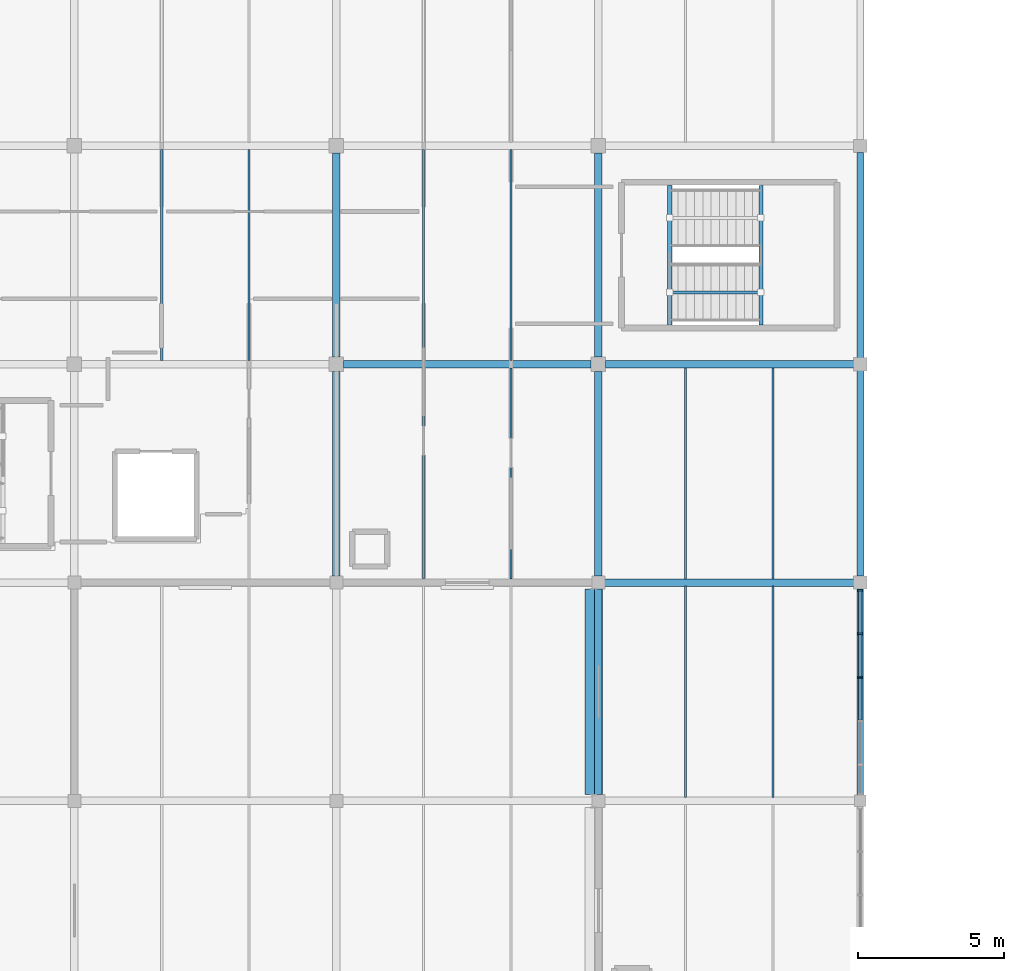
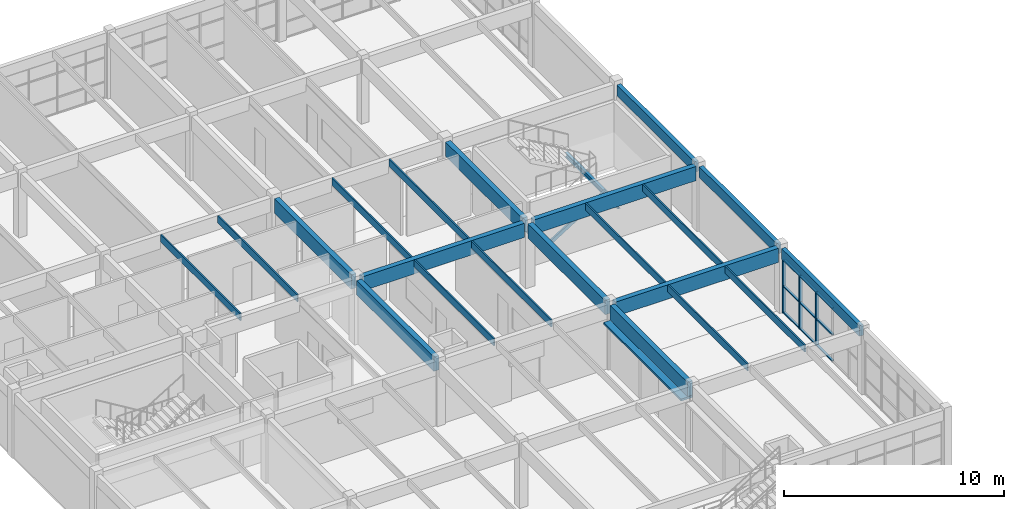
# One storey, part 23 of 81: 23 beams, 14 members, 1 element without a shape of its own.
"""IFC4 building model written with IfcOpenShell, lengths in metres."""

from ifc_helpers import new_model, si_unit, direction, frame, origin, origin_2d, place, context, subcontext, project, spatial, rectangle, hollow_rectangle, i_section, extrude, material, layer, layer_set, material_profile, profile_set, type_object, element, aggregate, save


model = new_model("IFC4")

# Units and contexts
model_context = context("Model", 3, precision=1e-05, world=origin(), true_north=direction((0.0, 1.0)))
body_context = subcontext(model_context, "Body", "Model", "MODEL_VIEW")
ifc_project = project(units=[si_unit("LENGTHUNIT", "METRE"), si_unit("AREAUNIT", "SQUARE_METRE"), si_unit("VOLUMEUNIT", "CUBIC_METRE"), si_unit("PLANEANGLEUNIT", "RADIAN"), si_unit("MASSUNIT", "GRAM", prefix="KILO")], contexts=[model_context])

# Site, building, storey
site_placement = place(None, origin())
site = spatial("IfcSite", under=ifc_project, at=site_placement, CompositionType="ELEMENT")
building_placement = place(site_placement, origin())
building = spatial("IfcBuilding", under=site, at=building_placement, Name="Marnridge Secondary College", CompositionType="ELEMENT")
storey_placement = place(building_placement, frame((0.0, 0.0, 8.5)))
storey = spatial("IfcBuildingStorey", under=building, at=storey_placement, Name="L02", CompositionType="ELEMENT", Elevation=8.5)

# Beams
ifc_material_1 = material(Name="Glulam timber GL18", Category="wood")
ifc_material_profile_1 = material_profile(ifc_material_1, rectangle(XDim=0.215087890625, YDim=0.5849609375, at=origin_2d()), Name="GL18 215x585")
ifc_profile_set_1 = profile_set([ifc_material_profile_1], Name="Glulam timber GL18")
beam_type_1 = type_object("IfcBeamType", Name="BM-GL585-EXT", PredefinedType="SPANDREL", material=ifc_profile_set_1)
beam_1_placement = place(storey_placement, frame((90.0, 45.194091796875, 3.277587890625), z_axis=(0.0, 1.0, 0.0), x_axis=(-1.0, 0.0, 0.0)))
element("IfcBeam", 1, at=beam_1_placement, inside=storey, type_object=beam_type_1, Name="Beam BS-L02-0789", PredefinedType="SPANDREL", context=body_context, shape_type="SweptSolid", body=[
    extrude(rectangle(XDim=0.215087890625, YDim=0.5849609375, at=origin_2d()), origin(), (0.0, 0.0, 1.0), 7.0869140625),
])
for number, where, z_axis, x_axis, name in (
    (2, (90.0, 52.718994140625, 3.277587890625), (0.0, 1.0, 0.0), (-1.0, 0.0, 0.0), "Beam BS-L02-0791"),
    (3, (90.0, 60.218994140625, 3.277587890625), (0.0, 1.0, 0.0), (-1.0, 0.0, 0.0), "Beam BS-L02-0793"),
):
    element("IfcBeam", number, at=place(storey_placement, frame(where, z_axis=z_axis, x_axis=x_axis)), inside=storey, type_object=beam_type_1, Name=name, PredefinedType="SPANDREL", context=body_context, shape_type="SweptSolid", body=[
        extrude(rectangle(XDim=0.215087890625, YDim=0.5849609375, at=origin_2d()), origin(), (0.0, 0.0, 1.0), 7.06201171875),
    ])
ifc_material_2 = material(Name="Glulam timber GL18", Category="wood")
ifc_material_profile_2 = material_profile(ifc_material_2, rectangle(XDim=0.260009765625, YDim=0.7900390625, at=origin_2d()), Name="GL18 260x790")
ifc_profile_set_2 = profile_set([ifc_material_profile_2], Name="Glulam timber GL18")
beam_type_2 = type_object("IfcBeamType", Name="BM-GL790-INT", PredefinedType="BEAM", material=ifc_profile_set_2)
beam_2_placement = place(storey_placement, frame((72.0, 52.718994140625, 3.175048828125), z_axis=(0.0, 1.0, 0.0), x_axis=(-1.0, 0.0, 0.0)))
element("IfcBeam", 4, at=beam_2_placement, inside=storey, type_object=beam_type_2, Name="Beam B-L02-0773", PredefinedType="BEAM", context=body_context, shape_type="SweptSolid", body=[
    extrude(rectangle(XDim=0.260009765625, YDim=0.7900390625, at=origin_2d()), origin(), (0.0, 0.0, 1.0), 7.037109375),
])
beam_3_placement = place(storey_placement, frame((72.0, 60.243896484375, 3.175048828125), z_axis=(0.0, 1.0, 0.0), x_axis=(-1.0, 0.0, 0.0)))
element("IfcBeam", 5, at=beam_3_placement, inside=storey, type_object=beam_type_2, Name="Beam B-L02-0775", PredefinedType="BEAM", context=body_context, shape_type="SweptSolid", body=[
    extrude(rectangle(XDim=0.260009765625, YDim=0.7900390625, at=origin_2d()), origin(), (0.0, 0.0, 1.0), 7.01220703125),
])
beam_4_placement = place(storey_placement, frame((81.0, 45.218994140625, 3.175048828125), z_axis=(0.0, 1.0, 0.0), x_axis=(-1.0, 0.0, 0.0)))
element("IfcBeam", 6, at=beam_4_placement, inside=storey, type_object=beam_type_2, Name="Beam B-L02-0780", PredefinedType="BEAM", context=body_context, shape_type="SweptSolid", body=[
    extrude(rectangle(XDim=0.260009765625, YDim=0.7900390625, at=origin_2d()), origin(), (0.0, 0.0, 1.0), 7.06201171875),
])
beam_5_placement = place(storey_placement, frame((72.243896484375, 60.0, 3.175048828125), z_axis=(1.0, 0.0, 0.0), x_axis=(0.0, 1.0, 0.0)))
element("IfcBeam", 7, at=beam_5_placement, inside=storey, type_object=beam_type_2, Name="Beam B-L02-0781", PredefinedType="BEAM", context=body_context, shape_type="SweptSolid", body=[
    extrude(rectangle(XDim=0.260009765625, YDim=0.7900390625, at=origin_2d()), origin(), (0.0, 0.0, 1.0), 8.51220703125),
])
beam_6_placement = place(storey_placement, frame((81.0, 52.718994140625, 3.175048828125), z_axis=(0.0, 1.0, 0.0), x_axis=(-1.0, 0.0, 0.0)))
element("IfcBeam", 8, at=beam_6_placement, inside=storey, type_object=beam_type_2, Name="Beam B-L02-0782", PredefinedType="BEAM", context=body_context, shape_type="SweptSolid", body=[
    extrude(rectangle(XDim=0.260009765625, YDim=0.7900390625, at=origin_2d()), origin(), (0.0, 0.0, 1.0), 7.037109375),
])
beam_7_placement = place(storey_placement, frame((81.0, 60.243896484375, 3.175048828125), z_axis=(0.0, 1.0, 0.0), x_axis=(-1.0, 0.0, 0.0)))
element("IfcBeam", 9, at=beam_7_placement, inside=storey, type_object=beam_type_2, Name="Beam B-L02-0784", PredefinedType="BEAM", context=body_context, shape_type="SweptSolid", body=[
    extrude(rectangle(XDim=0.260009765625, YDim=0.7900390625, at=origin_2d()), origin(), (0.0, 0.0, 1.0), 7.01220703125),
])
beam_8_placement = place(storey_placement, frame((81.218994140625, 52.5, 3.175048828125), z_axis=(1.0, 0.0, 0.0), x_axis=(0.0, 1.0, 0.0)))
element("IfcBeam", 10, at=beam_8_placement, inside=storey, type_object=beam_type_2, Name="Beam B-L02-0788", PredefinedType="BEAM", context=body_context, shape_type="SweptSolid", body=[
    extrude(rectangle(XDim=0.260009765625, YDim=0.7900390625, at=origin_2d()), origin(), (0.0, 0.0, 1.0), 8.56201171875),
])
beam_9_placement = place(storey_placement, frame((81.243896484375, 60.0, 3.175048828125), z_axis=(1.0, 0.0, 0.0), x_axis=(0.0, 1.0, 0.0)))
element("IfcBeam", 11, at=beam_9_placement, inside=storey, type_object=beam_type_2, Name="Beam B-L02-0790", PredefinedType="BEAM", context=body_context, shape_type="SweptSolid", body=[
    extrude(rectangle(XDim=0.260009765625, YDim=0.7900390625, at=origin_2d()), origin(), (0.0, 0.0, 1.0), 8.537109375),
])
ifc_material_3 = material(Name="Engineered timber LVL E13.2", Category="wood")
ifc_material_profile_3 = material_profile(ifc_material_3, rectangle(XDim=0.074951171875, YDim=0.39990234375, at=origin_2d()), Name="LVL 75x400")
ifc_profile_set_3 = profile_set([ifc_material_profile_3], Name="Engineered timber LVL E13.2")
beam_type_3 = type_object("IfcBeamType", Name="BM-LVL400-INT", PredefinedType="JOIST", material=ifc_profile_set_3)
for number, where, z_axis, x_axis, name in (
    (12, (66.0, 60.1240234375, 3.3701171875), (0.0, 1.0, 0.0), (-1.0, 0.0, 0.0), "Beam BJ-L02-0823"),
    (13, (69.0, 60.1240234375, 3.3701171875), (0.0, 1.0, 0.0), (-1.0, 0.0, 0.0), "Beam BJ-L02-0824"),
    (14, (75.0, 52.6240234375, 3.3701171875), (0.0, 1.0, 0.0), (-1.0, 0.0, 0.0), "Beam BJ-L02-0829"),
    (15, (78.0, 52.6240234375, 3.3701171875), (0.0, 1.0, 0.0), (-1.0, 0.0, 0.0), "Beam BJ-L02-0830"),
    (16, (75.0, 60.1240234375, 3.3701171875), (0.0, 1.0, 0.0), (-1.0, 0.0, 0.0), "Beam BJ-L02-0831"),
    (17, (78.0, 60.1240234375, 3.3701171875), (0.0, 1.0, 0.0), (-1.0, 0.0, 0.0), "Beam BJ-L02-0832"),
    (18, (84.0, 45.1240234375, 3.3701171875), (0.0, 1.0, 0.0), (-1.0, 0.0, 0.0), "Beam BJ-L02-0835"),
    (19, (87.0, 45.1240234375, 3.3701171875), (0.0, 1.0, 0.0), (-1.0, 0.0, 0.0), "Beam BJ-L02-0836"),
    (20, (84.0, 52.6240234375, 3.3701171875), (0.0, 1.0, 0.0), (-1.0, 0.0, 0.0), "Beam BJ-L02-0837"),
    (21, (87.0, 52.6240234375, 3.3701171875), (0.0, 1.0, 0.0), (-1.0, 0.0, 0.0), "Beam BJ-L02-0838"),
):
    element("IfcBeam", number, at=place(storey_placement, frame(where, z_axis=z_axis, x_axis=x_axis)), inside=storey, type_object=beam_type_3, Name=name, PredefinedType="JOIST", context=body_context, shape_type="SweptSolid", body=[
        extrude(rectangle(XDim=0.074951171875, YDim=0.39990234375, at=origin_2d()), origin(), (0.0, 0.0, 1.0), 7.251953125),
    ])
ifc_material_4 = material(Name="Structural steel Grade 350 (AS/NZS 3679.1/.2, fy = 340-360 MPa)", Category="steel")
ifc_material_profile_4 = material_profile(ifc_material_4, i_section(OverallWidth=0.146240234375, OverallDepth=0.256103515625, WebThickness=0.00634765625, FlangeThickness=0.010986328125, FilletRadius=0.0087890625, at=origin_2d()), Name="250UB37.3")
ifc_profile_set_4 = profile_set([ifc_material_profile_4], Name="Structural steel Grade 350 (AS/NZS 3679.1/.2, fy = 340-360 MPa)")
beam_type_4 = type_object("IfcBeamType", Name="BM-UB250-EXT", PredefinedType="LINTEL", material=ifc_profile_set_4)
for number, where, z_axis, x_axis, name in (
    (22, (83.449951171875, 61.342041015625, -0.38818359375), (0.0, 1.0, 0.0), (-1.0, 0.0, 0.0), "Stair landing trimmer beam BT-L02-014"),
    (23, (86.5849609375, 61.342041015625, 1.572021484375), (0.0, 1.0, 0.0), (-1.0, 0.0, 0.0), "Stair landing trimmer beam BT-L02-015"),
):
    element("IfcBeam", number, at=place(storey_placement, frame(where, z_axis=z_axis, x_axis=x_axis)), inside=storey, type_object=beam_type_4, Name=name, PredefinedType="LINTEL", context=body_context, shape_type="SweptSolid", body=[
        extrude(i_section(OverallWidth=0.146240234375, OverallDepth=0.256103515625, WebThickness=0.00634765625, FlangeThickness=0.010986328125, FilletRadius=0.0087890625, at=origin_2d()), origin(), (0.0, 0.0, 1.0), 4.802978515625),
    ])

# Curtain wall, members
ifc_material_5 = material(Name="Thermally broken aluminium and low-E glazing", Category="aluminium")
ifc_layer = layer(ifc_material_5, 0.159912109375)
ifc_layer_set = layer_set([ifc_layer], Name="CW-MOD-1500")
curtain_wall_type = type_object("IfcCurtainWallType", Name="CW-MOD-1500", PredefinedType="NOTDEFINED", material=ifc_layer_set)
curtain_wall_placement = place(storey_placement, origin())
curtain_wall = element("IfcCurtainWall", 24, at=curtain_wall_placement, inside=storey, type_object=curtain_wall_type, Name="Unitised curtain wall CW-L02-078", PredefinedType="NOTDEFINED")
ifc_material_6 = material(Name="Anodised aluminium 6063-T6", Category="aluminium")
ifc_material_profile_5 = material_profile(ifc_material_6, rectangle(XDim=0.06005859375, YDim=0.159912109375, at=origin_2d()), Name="ALU 60x160")
ifc_profile_set_5 = profile_set([ifc_material_profile_5], Name="Anodised aluminium 6063-T6")
member_type_1 = type_object("IfcMemberType", Name="CWM-ALU160", PredefinedType="MULLION", material=ifc_profile_set_5)
member_1_placement = place(storey_placement, frame((90.0, 52.240966796875, 0.0), z_axis=(0.0, 0.0, 1.0), x_axis=(0.0, -1.0, 0.0)))
member_1 = element("IfcMember", 25, at=member_1_placement, type_object=member_type_1, Name="CW-L02-078 mullion 1", PredefinedType="MULLION", context=body_context, shape_type="SweptSolid", body=[
    extrude(rectangle(XDim=0.06005859375, YDim=0.159912109375, at=origin_2d()), origin(), (0.0, 0.0, 1.0), 2.97705078125),
])
member_2_placement = place(storey_placement, frame((90.0, 50.740966796875, 0.0), z_axis=(0.0, 0.0, 1.0), x_axis=(0.0, -1.0, 0.0)))
member_2 = element("IfcMember", 26, at=member_2_placement, type_object=member_type_1, Name="CW-L02-078 mullion 2", PredefinedType="MULLION", context=body_context, shape_type="SweptSolid", body=[
    extrude(rectangle(XDim=0.06005859375, YDim=0.159912109375, at=origin_2d()), origin(), (0.0, 0.0, 1.0), 2.97705078125),
])
member_3_placement = place(storey_placement, frame((90.0, 49.240966796875, 0.0), z_axis=(0.0, 0.0, 1.0), x_axis=(0.0, -1.0, 0.0)))
member_3 = element("IfcMember", 27, at=member_3_placement, type_object=member_type_1, Name="CW-L02-078 mullion 3", PredefinedType="MULLION", context=body_context, shape_type="SweptSolid", body=[
    extrude(rectangle(XDim=0.06005859375, YDim=0.159912109375, at=origin_2d()), origin(), (0.0, 0.0, 1.0), 2.97705078125),
])
ifc_material_7 = material(Name="Anodised aluminium 6063-T6", Category="aluminium")
ifc_material_profile_6 = material_profile(ifc_material_7, rectangle(XDim=0.06005859375, YDim=0.1201171875, at=origin_2d()), Name="ALU 60x120")
ifc_profile_set_6 = profile_set([ifc_material_profile_6], Name="Anodised aluminium 6063-T6")
member_type_2 = type_object("IfcMemberType", Name="CWT-ALU120", PredefinedType="USERDEFINED", material=ifc_profile_set_6)
member_4_placement = place(storey_placement, frame((90.0, 52.2109375, 0.030029296875), z_axis=(0.0, -1.0, 0.0), x_axis=(0.0, 0.0, 1.0)))
member_4 = element("IfcMember", 28, at=member_4_placement, type_object=member_type_2, Name="CW-L02-078 transom 1.1", ObjectType="TRANSOM", PredefinedType="USERDEFINED", context=body_context, shape_type="SweptSolid", body=[
    extrude(rectangle(XDim=0.06005859375, YDim=0.1201171875, at=origin_2d()), origin(), (0.0, 0.0, 1.0), 1.43994140625),
])
member_5_placement = place(storey_placement, frame((90.0, 52.2109375, 1.489013671875), z_axis=(0.0, -1.0, 0.0), x_axis=(0.0, 0.0, 1.0)))
member_5 = element("IfcMember", 29, at=member_5_placement, type_object=member_type_2, Name="CW-L02-078 transom 1.2", ObjectType="TRANSOM", PredefinedType="USERDEFINED", context=body_context, shape_type="SweptSolid", body=[
    extrude(rectangle(XDim=0.06005859375, YDim=0.1201171875, at=origin_2d()), origin(), (0.0, 0.0, 1.0), 1.43994140625),
])
member_6_placement = place(storey_placement, frame((90.0, 52.2109375, 2.947021484375), z_axis=(0.0, -1.0, 0.0), x_axis=(0.0, 0.0, 1.0)))
member_6 = element("IfcMember", 30, at=member_6_placement, type_object=member_type_2, Name="CW-L02-078 transom 1.3", ObjectType="TRANSOM", PredefinedType="USERDEFINED", context=body_context, shape_type="SweptSolid", body=[
    extrude(rectangle(XDim=0.06005859375, YDim=0.1201171875, at=origin_2d()), origin(), (0.0, 0.0, 1.0), 1.43994140625),
])
member_7_placement = place(storey_placement, frame((90.0, 50.7109375, 0.030029296875), z_axis=(0.0, -1.0, 0.0), x_axis=(0.0, 0.0, 1.0)))
member_7 = element("IfcMember", 31, at=member_7_placement, type_object=member_type_2, Name="CW-L02-078 transom 2.1", ObjectType="TRANSOM", PredefinedType="USERDEFINED", context=body_context, shape_type="SweptSolid", body=[
    extrude(rectangle(XDim=0.06005859375, YDim=0.1201171875, at=origin_2d()), origin(), (0.0, 0.0, 1.0), 1.43994140625),
])
member_8_placement = place(storey_placement, frame((90.0, 50.7109375, 1.489013671875), z_axis=(0.0, -1.0, 0.0), x_axis=(0.0, 0.0, 1.0)))
member_8 = element("IfcMember", 32, at=member_8_placement, type_object=member_type_2, Name="CW-L02-078 transom 2.2", ObjectType="TRANSOM", PredefinedType="USERDEFINED", context=body_context, shape_type="SweptSolid", body=[
    extrude(rectangle(XDim=0.06005859375, YDim=0.1201171875, at=origin_2d()), origin(), (0.0, 0.0, 1.0), 1.43994140625),
])
member_9_placement = place(storey_placement, frame((90.0, 50.7109375, 2.947021484375), z_axis=(0.0, -1.0, 0.0), x_axis=(0.0, 0.0, 1.0)))
member_9 = element("IfcMember", 33, at=member_9_placement, type_object=member_type_2, Name="CW-L02-078 transom 2.3", ObjectType="TRANSOM", PredefinedType="USERDEFINED", context=body_context, shape_type="SweptSolid", body=[
    extrude(rectangle(XDim=0.06005859375, YDim=0.1201171875, at=origin_2d()), origin(), (0.0, 0.0, 1.0), 1.43994140625),
])
member_10_placement = place(storey_placement, frame((90.0, 49.2109375, 0.030029296875), z_axis=(0.0, -1.0, 0.0), x_axis=(0.0, 0.0, 1.0)))
member_10 = element("IfcMember", 34, at=member_10_placement, type_object=member_type_2, Name="CW-L02-078 transom 3.1", ObjectType="TRANSOM", PredefinedType="USERDEFINED", context=body_context, shape_type="SweptSolid", body=[
    extrude(rectangle(XDim=0.06005859375, YDim=0.1201171875, at=origin_2d()), origin(), (0.0, 0.0, 1.0), 1.43994140625),
])
member_11_placement = place(storey_placement, frame((90.0, 49.2109375, 1.489013671875), z_axis=(0.0, -1.0, 0.0), x_axis=(0.0, 0.0, 1.0)))
member_11 = element("IfcMember", 35, at=member_11_placement, type_object=member_type_2, Name="CW-L02-078 transom 3.2", ObjectType="TRANSOM", PredefinedType="USERDEFINED", context=body_context, shape_type="SweptSolid", body=[
    extrude(rectangle(XDim=0.06005859375, YDim=0.1201171875, at=origin_2d()), origin(), (0.0, 0.0, 1.0), 1.43994140625),
])
member_12_placement = place(storey_placement, frame((90.0, 49.2109375, 2.947021484375), z_axis=(0.0, -1.0, 0.0), x_axis=(0.0, 0.0, 1.0)))
member_12 = element("IfcMember", 36, at=member_12_placement, type_object=member_type_2, Name="CW-L02-078 transom 3.3", ObjectType="TRANSOM", PredefinedType="USERDEFINED", context=body_context, shape_type="SweptSolid", body=[
    extrude(rectangle(XDim=0.06005859375, YDim=0.1201171875, at=origin_2d()), origin(), (0.0, 0.0, 1.0), 1.43994140625),
])
aggregate(curtain_wall, [member_1, member_2, member_3, member_4, member_5, member_6, member_7, member_8, member_9, member_10, member_11, member_12])

# Members
ifc_material_8 = material(Name="Glulam timber GL18", Category="wood")
ifc_material_profile_7 = material_profile(ifc_material_8, rectangle(XDim=0.110107421875, YDim=0.60009765625, at=origin_2d()), Name="FIN GL18 110x600")
ifc_profile_set_7 = profile_set([ifc_material_profile_7], Name="Glulam timber GL18")
member_type_3 = type_object("IfcMemberType", Name="MB-FIN-GL600", PredefinedType="USERDEFINED", material=ifc_profile_set_7)
member_13_placement = place(storey_placement, frame((80.840087890625, 45.22509765625, 2.69189453125), z_axis=(0.0, 1.0, 0.0), x_axis=(0.0, 0.0, 1.0)))
element("IfcMember", 37, at=member_13_placement, inside=storey, type_object=member_type_3, Name="Solar shading fin SFN-0084", ObjectType="SOLAR FIN", PredefinedType="USERDEFINED", context=body_context, shape_type="SweptSolid", body=[
    extrude(rectangle(XDim=0.110107421875, YDim=0.60009765625, at=origin_2d()), origin(), (0.0, 0.0, 1.0), 7.0498046875),
])
ifc_material_9 = material(Name="Cold-formed steel Grade C350L0 (AS/NZS 1163, fy = 350 MPa)", Category="steel")
ifc_material_profile_8 = material_profile(ifc_material_9, hollow_rectangle(XDim=0.10009765625, YDim=0.199951171875, WallThickness=0.006103515625, at=origin_2d()), Name="200x100x6.0RHS")
ifc_profile_set_8 = profile_set([ifc_material_profile_8], Name="Cold-formed steel Grade C350L0 (AS/NZS 1163, fy = 350 MPa)")
member_type_4 = type_object("IfcMemberType", Name="MB-STR-RHS200", PredefinedType="STRINGER", material=ifc_profile_set_8)
member_14_placement = place(storey_placement, frame((83.449951171875, 62.469970703125, -0.16796875), z_axis=(0.847927812005, 0.0, 0.530111710519), x_axis=(0.0, 1.0, 0.0)))
element("IfcMember", 38, at=member_14_placement, inside=storey, type_object=member_type_4, Name="Stair stringer STR-015", PredefinedType="STRINGER", context=body_context, shape_type="SweptSolid", body=[
    extrude(hollow_rectangle(XDim=0.10009765625, YDim=0.199951171875, WallThickness=0.006103515625, at=origin_2d()), origin(), (0.0, 0.0, 1.0), 3.697265625),
])

save(model, "model.ifc")
